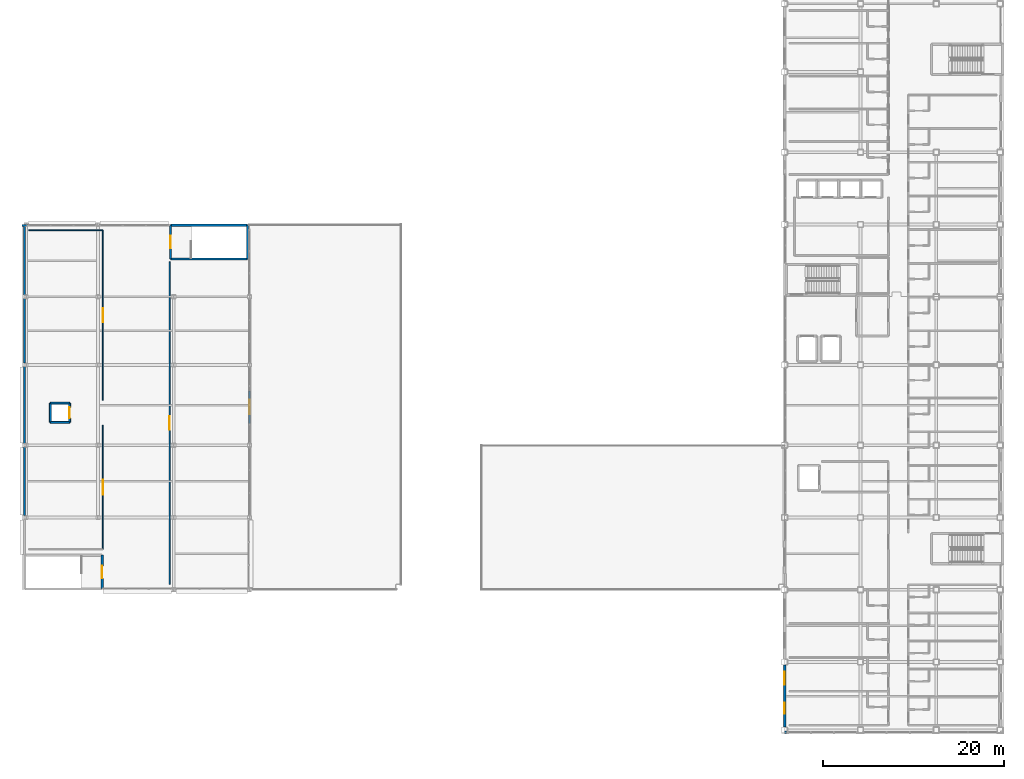
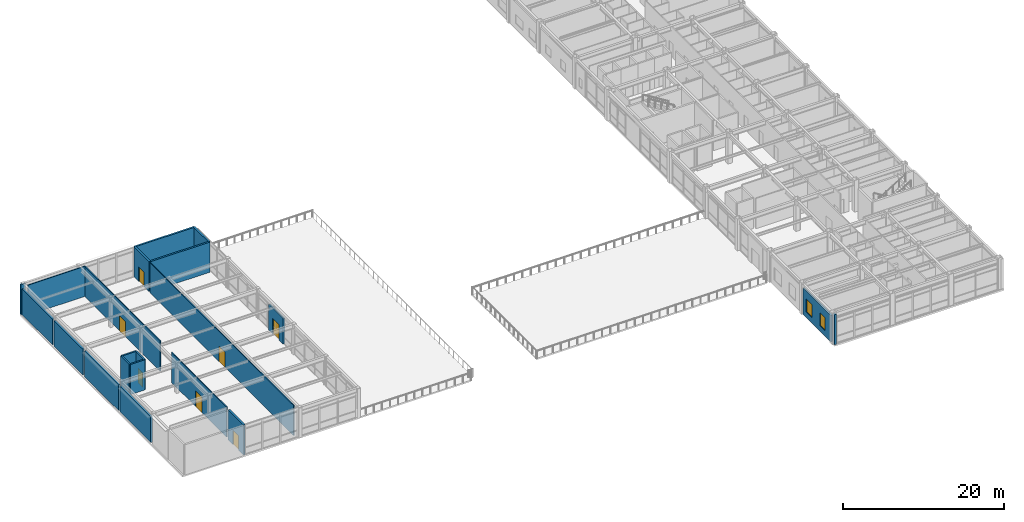
# One storey, part 48 of 61: 21 walls, 7 doors, 2 windows, 9 openings.
"""IFC4 building model written with IfcOpenShell, lengths in metres."""

import ifcopenshell
import ifcopenshell.guid

model = None  # the IFC model being written
_history = None  # IfcOwnerHistory: only IFC2X3 demands one
_inside = {}  # id of a spatial element -> (the spatial element, [elements in it])
_under = {}  # id of a project, library or spatial element -> (it, [spatial elements below it])
_declared = {}  # id of a project -> (the project, [libraries it declares])
_typed = {}  # id of a type object -> (the type object, [elements of that type])
_made_of = {}  # id of a material, layer set ... -> (it, [elements and type objects made of it])


def new_model(schema):
    """Start an empty IFC model of exactly this schema.

    Asked for "IFC4X3", IfcOpenShell would pick the latest addendum, in which some entities
    have other attributes; the version numbers below select the first issue.
    IFC2X3 requires an IfcOwnerHistory on every rooted entity: one is made here for all.
    """
    global model, _history
    if schema == "IFC4X3":
        model = ifcopenshell.file(schema_version=(4, 3, 0, 0))
    else:
        model = ifcopenshell.file(schema=schema)
    _inside.clear()
    _under.clear()
    _declared.clear()
    _typed.clear()
    _made_of.clear()
    _history = None
    if model.schema == "IFC2X3":
        org = make("IfcOrganization", Name="unknown")
        user = make(
            "IfcPersonAndOrganization",
            ThePerson=make("IfcPerson", FamilyName="unknown"),
            TheOrganization=org,
        )
        app = make(
            "IfcApplication",
            ApplicationDeveloper=org,
            Version="unknown",
            ApplicationFullName="unknown",
            ApplicationIdentifier="unknown",
        )
        _history = make(
            "IfcOwnerHistory",
            OwningUser=user,
            OwningApplication=app,
            ChangeAction="ADDED",
            CreationDate=0,
        )
    return model


def make(cls, **values):
    """One entity of the class cls with the attributes given. An attribute that is None is left unset."""
    return model.create_entity(
        cls, **{name: value for name, value in values.items() if value is not None}
    )


def rooted(cls, **values):
    """An entity with a GlobalId (a new one), such as an element, a storey or a relation."""
    return make(cls, GlobalId=ifcopenshell.guid.new(), OwnerHistory=_history, **values)


def si_unit(unit_type, name, prefix=None):
    """IfcSIUnit, for example si_unit("LENGTHUNIT", "METRE", prefix="MILLI")."""
    return make("IfcSIUnit", UnitType=unit_type, Prefix=prefix, Name=name)


def assignment(units):
    """IfcUnitAssignment: the units of a project."""
    return None if units is None else make("IfcUnitAssignment", Units=units)


def point(xyz):
    """IfcCartesianPoint."""
    return None if xyz is None else make("IfcCartesianPoint", Coordinates=xyz)


def direction(xyz):
    """IfcDirection."""
    return None if xyz is None else make("IfcDirection", DirectionRatios=xyz)


def frame(location, z_axis=None, x_axis=None):
    """IfcAxis2Placement3D, a coordinate frame: its origin and axes. An axis left out is left unset."""
    return make(
        "IfcAxis2Placement3D",
        Location=point(location),
        Axis=direction(z_axis),
        RefDirection=direction(x_axis),
    )


def frame_2d(location, x_axis=None):
    """IfcAxis2Placement2D, a coordinate frame in the plane: its origin and x axis."""
    return make(
        "IfcAxis2Placement2D", Location=point(location), RefDirection=direction(x_axis)
    )


def origin():
    """The frame at (0, 0, 0) with its axes left unset."""
    return frame((0.0, 0.0, 0.0))


def place(relative_to, where):
    """IfcLocalPlacement: puts the frame where relative to a parent placement (None: the world)."""
    return make(
        "IfcLocalPlacement", PlacementRelTo=relative_to, RelativePlacement=where
    )


def context(
    kind, dimensions, precision=None, world=None, true_north=None, identifier=None
):
    """IfcGeometricRepresentationContext, for example the 3D "Model" context."""
    return make(
        "IfcGeometricRepresentationContext",
        ContextIdentifier=identifier,
        ContextType=kind,
        CoordinateSpaceDimension=dimensions,
        Precision=precision,
        WorldCoordinateSystem=world,
        TrueNorth=true_north,
    )


def subcontext(parent, identifier, kind, view, scale=None):
    """IfcGeometricRepresentationSubContext, for example "Body" below "Model"."""
    return make(
        "IfcGeometricRepresentationSubContext",
        ContextIdentifier=identifier,
        ContextType=kind,
        ParentContext=parent,
        TargetScale=scale,
        TargetView=view,
    )


def project(units=None, contexts=None):
    """IfcProject with its units and contexts."""
    return rooted(
        "IfcProject",
        Name="project",
        RepresentationContexts=contexts,
        UnitsInContext=assignment(units),
    )


def spatial(cls, under=None, at=None, **own):
    """A site, building, storey or space (cls), placed at a placement, below another one or the project."""
    s = rooted(cls, ObjectPlacement=at, **own)
    if under is not None:
        _under.setdefault(under.id(), (under, []))[1].append(s)
    return s


def profile(cls, at=None, kind="AREA", **sizes):
    """A parametric profile (cls). Its sizes go by their IFC names, for example OverallWidth=200.0."""
    return make(cls, ProfileType=kind, Position=at, **sizes)


def rectangle(**sizes):
    """IfcRectangleProfileDef."""
    return profile("IfcRectangleProfileDef", **sizes)


def extrude(swept, where, along, depth):
    """IfcExtrudedAreaSolid: the profile swept, set in the frame where, extruded along a direction by depth."""
    return make(
        "IfcExtrudedAreaSolid",
        SweptArea=swept,
        Position=where,
        ExtrudedDirection=direction(along),
        Depth=depth,
    )


def shape(context_of_items, identifier, shape_type, items):
    """IfcShapeRepresentation: the items that make up one representation, for example the "Body"."""
    return make(
        "IfcShapeRepresentation",
        ContextOfItems=context_of_items,
        RepresentationIdentifier=identifier,
        RepresentationType=shape_type,
        Items=items,
    )


def material(Name=None, Category=None):
    """IfcMaterial."""
    return make("IfcMaterial", Name=Name, Category=Category)


def layer(
    of_material, thickness, ventilated=None, Name=None, Category=None, Priority=None
):
    """IfcMaterialLayer: one layer of a wall or slab, of a material (None: an air gap)."""
    return make(
        "IfcMaterialLayer",
        Material=of_material,
        LayerThickness=thickness,
        IsVentilated=ventilated,
        Name=Name,
        Category=Category,
        Priority=Priority,
    )


def layer_set(layers, Name=None):
    """IfcMaterialLayerSet."""
    return make("IfcMaterialLayerSet", MaterialLayers=layers, LayerSetName=Name)


def made_of(thing, what):
    """Note that an element or type object is made of a material, layer set ...; save() writes the relation."""
    if what is not None:
        _made_of.setdefault(what.id(), (what, []))[1].append(thing)
    return thing


def type_object(cls, material=None, **own):
    """A type object (cls), such as IfcWallType, which elements share."""
    return made_of(rooted(cls, **own), material)


def element(
    cls,
    number,
    at=None,
    inside=None,
    cuts=None,
    type_object=None,
    material=None,
    context=None,
    identifier="Body",
    shape_type=None,
    held_by="IfcProductDefinitionShape",
    body=None,
    shapes=None,
    **own,
):
    """One element of the class cls, such as IfcWall. Its Tag is "e" and its number.

    at: its placement. inside: the storey or other place that contains it. cuts: it is an
    opening in that element (IfcRelVoidsElement). A single representation is given by context,
    identifier, shape_type and body (its items); several are given by shapes. held_by: the class
    of the entity that holds the representations. save() writes the other relations.
    """
    e = rooted(cls, Tag="e%d" % number, ObjectPlacement=at, **own)
    if body is not None:
        shapes = [shape(context, identifier, shape_type, body)]
    if shapes is not None:
        e.Representation = make(held_by, Representations=shapes)
    if inside is not None:
        _inside.setdefault(inside.id(), (inside, []))[1].append(e)
    if cuts is not None:
        rooted(
            "IfcRelVoidsElement", RelatingBuildingElement=cuts, RelatedOpeningElement=e
        )
    if type_object is not None:
        _typed.setdefault(type_object.id(), (type_object, []))[1].append(e)
    return made_of(e, material)


def fill(opening, filler):
    """IfcRelFillsElement: the door or window that sits in an opening."""
    return rooted(
        "IfcRelFillsElement",
        RelatingOpeningElement=opening,
        RelatedBuildingElement=filler,
    )


def aggregate(whole, parts):
    """IfcRelAggregates: a whole, such as a stair, and the parts it consists of."""
    return rooted("IfcRelAggregates", RelatingObject=whole, RelatedObjects=parts)


def save(model, path):
    """Write the relations noted so far, then the file.

    IfcRelAggregates (storeys below a building ...), IfcRelContainedInSpatialStructure (elements
    in a storey), IfcRelDefinesByType, IfcRelAssociatesMaterial and IfcRelDeclares: one each for
    every whole, place, type object, material and project.
    """
    for whole, parts in _under.values():
        aggregate(whole, parts)
    for where, things in _inside.values():
        rooted(
            "IfcRelContainedInSpatialStructure",
            RelatedElements=things,
            RelatingStructure=where,
        )
    for kind, things in _typed.values():
        rooted("IfcRelDefinesByType", RelatedObjects=things, RelatingType=kind)
    for what, things in _made_of.values():
        rooted("IfcRelAssociatesMaterial", RelatedObjects=things, RelatingMaterial=what)
    for by, libraries in _declared.values():
        rooted("IfcRelDeclares", RelatingContext=by, RelatedDefinitions=libraries)
    model.write(path)


model = new_model("IFC4")

# Units and contexts
model_context = context("Model", 3, precision=1e-05, world=origin(), true_north=direction((0.0, 1.0)))
body_context = subcontext(model_context, "Body", "Model", "MODEL_VIEW")
ifc_project = project(units=[si_unit("LENGTHUNIT", "METRE"), si_unit("AREAUNIT", "SQUARE_METRE"), si_unit("VOLUMEUNIT", "CUBIC_METRE"), si_unit("PLANEANGLEUNIT", "RADIAN"), si_unit("MASSUNIT", "GRAM", prefix="KILO")], contexts=[model_context])

# Site, building, storey
site_placement = place(None, origin())
site = spatial("IfcSite", under=ifc_project, at=site_placement, CompositionType="ELEMENT")
building_placement = place(site_placement, origin())
building = spatial("IfcBuilding", under=site, at=building_placement, Name="Kazehara Bluff Congress Hotel", CompositionType="ELEMENT")
storey_placement = place(building_placement, frame((0.0, 0.0, 19.800048828125)))
storey = spatial("IfcBuildingStorey", under=building, at=storey_placement, Name="L04", CompositionType="ELEMENT", Elevation=19.800048828125)

# Wall, opening, door
ifc_material_1 = material(Name="Concrete C40/50", Category="concrete")
ifc_layer_1 = layer(ifc_material_1, 0.25)
ifc_layer_set_1 = layer_set([ifc_layer_1], Name="Concrete C40/50")
wall_type_1 = type_object("IfcWallType", Name="TP-CW-RC", PredefinedType="SHEAR", material=ifc_layer_set_1)
wall_1_placement = place(storey_placement, frame((68.125, 19.824951171875, 0.0), z_axis=(0.0, 0.0, 1.0), x_axis=(0.0, -1.0, 0.0)))
wall_1 = element("IfcWall", 1, at=wall_1_placement, inside=storey, type_object=wall_type_1, Name="L04 ST-08 core wall near", PredefinedType="SHEAR", context=body_context, shape_type="SweptSolid", body=[
    extrude(rectangle(XDim=3.75, YDim=0.25, at=frame_2d((1.875, 0.0))), origin(), (0.0, 0.0, 1.0), 4.579833984375),
])
opening_1_placement = place(wall_1_placement, frame((1.175048828125, 0.0, 0.0)))
opening_1 = element("IfcOpeningElement", 2, at=opening_1_placement, cuts=wall_1, Name="Opening FD-03", PredefinedType="OPENING", context=body_context, shape_type="SweptSolid", body=[
    extrude(rectangle(XDim=1.39990234375, YDim=2.25, at=frame_2d((0.699951171875, 1.125))), frame((0.0, 0.135009765625, 0.0), z_axis=(0.0, -1.0, 0.0), x_axis=(1.0, 0.0, 0.0)), (0.0, 0.0, 1.0), 0.27001953125),
])
ifc_material_2 = material(Name="Fire-rated painted steel leaf", Category="steel")
door_type_1 = type_object("IfcDoorType", Name="TP-FD-03", OperationType="NOTDEFINED", PredefinedType="DOOR", material=ifc_material_2)
door_1_placement = place(opening_1_placement, origin())
door_1 = element("IfcDoor", 3, at=door_1_placement, inside=storey, type_object=door_type_1, Name="L04 ST-08 fire stair door", OperationType="SINGLE_SWING_RIGHT", OverallHeight=2.25, OverallWidth=1.39990234375, PredefinedType="DOOR", context=body_context, shape_type="SweptSolid", body=[
    extrude(rectangle(XDim=1.39990234375, YDim=2.25, at=frame_2d((0.699951171875, 1.125))), frame((0.0, 0.02490234375, 0.0), z_axis=(0.0, -1.0, 0.0), x_axis=(1.0, 0.0, 0.0)), (0.0, 0.0, 1.0), 0.050048828125),
])
fill(opening_1, door_1)

wall_2_placement = place(storey_placement, frame((75.675048828125, 52.625, 0.0), z_axis=(0.0, 0.0, 1.0), x_axis=(0.0, 1.0, 0.0)))
wall_2 = element("IfcWall", 4, at=wall_2_placement, inside=storey, type_object=wall_type_1, Name="L04 ST-09 core wall near", PredefinedType="SHEAR", context=body_context, shape_type="SweptSolid", body=[
    extrude(rectangle(XDim=3.75, YDim=0.25, at=frame_2d((1.875, 0.0))), origin(), (0.0, 0.0, 1.0), 4.579833984375),
])
opening_2_placement = place(wall_2_placement, frame((1.175048828125, 0.0, 0.0)))
opening_2 = element("IfcOpeningElement", 5, at=opening_2_placement, cuts=wall_2, Name="Opening FD-03", PredefinedType="OPENING", context=body_context, shape_type="SweptSolid", body=[
    extrude(rectangle(XDim=1.39990234375, YDim=2.25, at=frame_2d((0.699951171875, 1.125))), frame((0.0, 0.135009765625, 0.0), z_axis=(0.0, -1.0, 0.0), x_axis=(1.0, 0.0, 0.0)), (0.0, 0.0, 1.0), 0.27001953125),
])
door_2_placement = place(opening_2_placement, origin())
door_2 = element("IfcDoor", 6, at=door_2_placement, inside=storey, type_object=door_type_1, Name="L04 ST-09 fire stair door", OperationType="SINGLE_SWING_RIGHT", OverallHeight=2.25, OverallWidth=1.39990234375, PredefinedType="DOOR", context=body_context, shape_type="SweptSolid", body=[
    extrude(rectangle(XDim=1.39990234375, YDim=2.25, at=frame_2d((0.699951171875, 1.125))), frame((0.0, 0.02490234375, 0.0), z_axis=(0.0, -1.0, 0.0), x_axis=(1.0, 0.0, 0.0)), (0.0, 0.0, 1.0), 0.050048828125),
])
fill(opening_2, door_2)

# Walls
wall_3_placement = place(storey_placement, frame((84.22509765625, 56.375, 0.0), z_axis=(0.0, 0.0, 1.0), x_axis=(0.0, -1.0, 0.0)))
element("IfcWall", 7, at=wall_3_placement, inside=storey, type_object=wall_type_1, Name="L04 ST-09 core wall far", PredefinedType="SHEAR", context=body_context, shape_type="SweptSolid", body=[
    extrude(rectangle(XDim=3.75, YDim=0.25, at=frame_2d((1.875, 0.0))), origin(), (0.0, 0.0, 1.0), 4.579833984375),
])
for number, where, z_axis, x_axis, name in (
    (8, (84.22509765625, 52.625, 0.0), (0.0, 0.0, 1.0), (-1.0, 0.0, 0.0), "L04 ST-09 core wall left"),
    (9, (75.675048828125, 56.375, 0.0), (0.0, 0.0, 1.0), (1.0, 0.0, 0.0), "L04 ST-09 core wall right"),
):
    element("IfcWall", number, at=place(storey_placement, frame(where, z_axis=z_axis, x_axis=x_axis)), inside=storey, type_object=wall_type_1, Name=name, PredefinedType="SHEAR", context=body_context, shape_type="SweptSolid", body=[
        extrude(rectangle(XDim=8.550048828125, YDim=0.25, at=frame_2d((4.27490234375, 0.0))), origin(), (0.0, 0.0, 1.0), 4.579833984375),
    ])

# Wall, opening, door
ifc_material_3 = material(Name="Precast concrete C40/50", Category="concrete")
ifc_layer_2 = layer(ifc_material_3, 0.239990234375)
ifc_layer_set_2 = layer_set([ifc_layer_2], Name="Precast concrete C40/50")
wall_type_2 = type_object("IfcWallType", Name="TP-EW-240", PredefinedType="SOLIDWALL", material=ifc_layer_set_2)
wall_4_placement = place(storey_placement, frame((84.449951171875, 34.425048828125, 0.0), z_axis=(0.0, 0.0, 1.0), x_axis=(0.0, 1.0, 0.0)))
wall_4 = element("IfcWall", 10, at=wall_4_placement, inside=storey, type_object=wall_type_2, Name="Delegate Bluff Roof Terrace access wall", PredefinedType="SOLIDWALL", context=body_context, shape_type="SweptSolid", body=[
    extrude(rectangle(XDim=3.599853515625, YDim=0.239990234375, at=frame_2d((1.7998046875, 0.0))), origin(), (0.0, 0.0, 1.0), 3.905029296875),
])
opening_3_placement = place(wall_4_placement, frame((1.0, 0.0, 0.0)))
opening_3 = element("IfcOpeningElement", 11, at=opening_3_placement, cuts=wall_4, Name="Opening TD-01", PredefinedType="OPENING", context=body_context, shape_type="SweptSolid", body=[
    extrude(rectangle(XDim=1.60009765625, YDim=2.300048828125, at=frame_2d((0.800048828125, 1.14990234375))), frame((0.0, 0.1298828125, 0.0), z_axis=(0.0, -1.0, 0.0), x_axis=(1.0, 0.0, 0.0)), (0.0, 0.0, 1.0), 0.260009765625),
])
ifc_material_4 = material(Name="Anodised aluminium", Category="aluminium")
door_type_2 = type_object("IfcDoorType", Name="TP-TD-01", OperationType="SLIDING_TO_LEFT", PredefinedType="DOOR", material=ifc_material_4)
door_3_placement = place(opening_3_placement, origin())
door_3 = element("IfcDoor", 12, at=door_3_placement, inside=storey, type_object=door_type_2, Name="Delegate Bluff Roof Terrace terrace door", OperationType="SLIDING_TO_LEFT", OverallHeight=2.300048828125, OverallWidth=1.60009765625, PredefinedType="DOOR", context=body_context, shape_type="SweptSolid", body=[
    extrude(rectangle(XDim=1.60009765625, YDim=2.300048828125, at=frame_2d((0.800048828125, 1.14990234375))), frame((0.0, 0.02490234375, 0.0), z_axis=(0.0, -1.0, 0.0), x_axis=(1.0, 0.0, 0.0)), (0.0, 0.0, 1.0), 0.050048828125),
])
fill(opening_3, door_3)

# Walls
wall_5_placement = place(storey_placement, frame((59.25, 56.35009765625, 0.0), z_axis=(0.0, 0.0, 1.0), x_axis=(1.0, 0.0, 0.0)))
element("IfcWall", 13, at=wall_5_placement, inside=storey, type_object=wall_type_2, Name="L04 V4 perimeter spandrel pier 719", PredefinedType="SOLIDWALL", context=body_context, shape_type="SweptSolid", body=[
    extrude(rectangle(XDim=0.64990234375, YDim=0.239990234375, at=frame_2d((0.324951171875, 0.0))), origin(), (0.0, 0.0, 1.0), 4.56494140625),
])
wall_6_placement = place(storey_placement, frame((59.52001953125, 24.199951171875, 0.0), z_axis=(0.0, 0.0, 1.0), x_axis=(0.0, 1.0, 0.0)))
element("IfcWall", 14, at=wall_6_placement, inside=storey, type_object=wall_type_2, Name="L04 V4 perimeter spandrel pier 721", PredefinedType="SOLIDWALL", context=body_context, shape_type="SweptSolid", body=[
    extrude(rectangle(XDim=7.60009765625, YDim=0.239990234375, at=frame_2d((3.800048828125, 0.0))), origin(), (0.0, 0.0, 1.0), 3.905029296875),
])
wall_7_placement = place(storey_placement, frame((59.52001953125, 32.199951171875, 0.0), z_axis=(0.0, 0.0, 1.0), x_axis=(0.0, 1.0, 0.0)))
element("IfcWall", 15, at=wall_7_placement, inside=storey, type_object=wall_type_2, Name="L04 V4 perimeter spandrel pier 722", PredefinedType="SOLIDWALL", context=body_context, shape_type="SweptSolid", body=[
    extrude(rectangle(XDim=8.5, YDim=0.239990234375, at=frame_2d((4.25, 0.0))), origin(), (0.0, 0.0, 1.0), 3.905029296875),
])
wall_8_placement = place(storey_placement, frame((59.52001953125, 41.10009765625, 0.0), z_axis=(0.0, 0.0, 1.0), x_axis=(0.0, 1.0, 0.0)))
element("IfcWall", 16, at=wall_8_placement, inside=storey, type_object=wall_type_2, Name="L04 V4 perimeter spandrel pier 723", PredefinedType="SOLIDWALL", context=body_context, shape_type="SweptSolid", body=[
    extrude(rectangle(XDim=7.14990234375, YDim=0.239990234375, at=frame_2d((3.574951171875, 0.0))), origin(), (0.0, 0.0, 1.0), 3.905029296875),
])
wall_9_placement = place(storey_placement, frame((59.52001953125, 48.64990234375, 0.0), z_axis=(0.0, 0.0, 1.0), x_axis=(0.0, 1.0, 0.0)))
element("IfcWall", 17, at=wall_9_placement, inside=storey, type_object=wall_type_2, Name="L04 V4 perimeter spandrel pier 724", PredefinedType="SOLIDWALL", context=body_context, shape_type="SweptSolid", body=[
    extrude(rectangle(XDim=7.570068359375, YDim=0.239990234375, at=frame_2d((3.78515625, 0.0))), origin(), (0.0, 0.0, 1.0), 3.905029296875),
])
wall_10_placement = place(storey_placement, frame((143.800048828125, 0.0, 0.0), z_axis=(0.0, 0.0, 1.0), x_axis=(0.0, 1.0, 0.0)))
element("IfcWall", 18, at=wall_10_placement, inside=storey, type_object=wall_type_2, Name="L04 V5 perimeter spandrel pier 728", PredefinedType="SOLIDWALL", context=body_context, shape_type="SweptSolid", body=[
    extrude(rectangle(XDim=0.360107421875, YDim=0.239990234375, at=frame_2d((0.18017578125, 0.0))), origin(), (0.0, 0.0, 1.0), 4.56494140625),
])

# Wall, openings, windows
ifc_material_5 = material(Name="Precast concrete C40/50", Category="concrete")
ifc_layer_3 = layer(ifc_material_5, 0.260009765625)
ifc_layer_set_3 = layer_set([ifc_layer_3], Name="Precast concrete C40/50")
wall_type_3 = type_object("IfcWallType", Name="TP-EW-260", PredefinedType="SOLIDWALL", material=ifc_layer_set_3)
wall_11_placement = place(storey_placement, frame((143.699951171875, 0.77490234375, 0.0), z_axis=(0.0, 0.0, 1.0), x_axis=(0.0, 1.0, 0.0)))
wall_11 = element("IfcWall", 19, at=wall_11_placement, inside=storey, type_object=wall_type_3, Name="L04 hotel facade panel 33", PredefinedType="SOLIDWALL", context=body_context, shape_type="SweptSolid", body=[
    extrude(rectangle(XDim=6.900146484375, YDim=0.260009765625, at=frame_2d((3.4501953125, 0.0))), origin(), (0.0, 0.0, 1.0), 4.0048828125),
])
opening_4_placement = place(wall_11_placement, frame((1.47509765625, 0.0, 0.85009765625)))
opening_4 = element("IfcOpeningElement", 20, at=opening_4_placement, cuts=wall_11, Name="Opening WN-10", PredefinedType="OPENING", context=body_context, shape_type="SweptSolid", body=[
    extrude(rectangle(XDim=1.25, YDim=1.949951171875, at=frame_2d((0.625, 0.97509765625))), frame((0.0, 0.139892578125, 0.0), z_axis=(0.0, -1.0, 0.0), x_axis=(1.0, 0.0, 0.0)), (0.0, 0.0, 1.0), 0.280029296875),
])
opening_5_placement = place(wall_11_placement, frame((4.7099609375, 0.0, 0.85009765625)))
opening_5 = element("IfcOpeningElement", 21, at=opening_5_placement, cuts=wall_11, Name="Opening WN-20", PredefinedType="OPENING", context=body_context, shape_type="SweptSolid", body=[
    extrude(rectangle(XDim=1.449951171875, YDim=1.949951171875, at=frame_2d((0.72509765625, 0.97509765625))), frame((0.0, 0.139892578125, 0.0), z_axis=(0.0, -1.0, 0.0), x_axis=(1.0, 0.0, 0.0)), (0.0, 0.0, 1.0), 0.280029296875),
])
ifc_material_6 = material(Name="Insulated low-E double glazing", Category="glass")
window_type_1 = type_object("IfcWindowType", Name="TP-WN-10", PartitioningType="SINGLE_PANEL", PredefinedType="WINDOW", material=ifc_material_6)
window_1_placement = place(opening_4_placement, origin())
window_1 = element("IfcWindow", 22, at=window_1_placement, inside=storey, type_object=window_type_1, Name="L04 guestroom window WN-10 49", OverallHeight=1.949951171875, OverallWidth=1.25, PartitioningType="SINGLE_PANEL", PredefinedType="WINDOW", context=body_context, shape_type="SweptSolid", body=[
    extrude(rectangle(XDim=1.25, YDim=1.949951171875, at=frame_2d((0.625, 0.97509765625))), frame((0.0, 0.030029296875, 0.0), z_axis=(0.0, -1.0, 0.0), x_axis=(1.0, 0.0, 0.0)), (0.0, 0.0, 1.0), 0.06005859375),
])
fill(opening_4, window_1)
ifc_material_7 = material(Name="Insulated low-E double glazing", Category="glass")
window_type_2 = type_object("IfcWindowType", Name="TP-WN-20", PartitioningType="SINGLE_PANEL", PredefinedType="WINDOW", material=ifc_material_7)
window_2_placement = place(opening_5_placement, origin())
window_2 = element("IfcWindow", 23, at=window_2_placement, inside=storey, type_object=window_type_2, Name="L04 guestroom window WN-20 50", OverallHeight=1.949951171875, OverallWidth=1.449951171875, PartitioningType="SINGLE_PANEL", PredefinedType="WINDOW", context=body_context, shape_type="SweptSolid", body=[
    extrude(rectangle(XDim=1.449951171875, YDim=1.949951171875, at=frame_2d((0.72509765625, 0.97509765625))), frame((0.0, 0.030029296875, 0.0), z_axis=(0.0, -1.0, 0.0), x_axis=(1.0, 0.0, 0.0)), (0.0, 0.0, 1.0), 0.06005859375),
])
fill(opening_5, window_2)

# Wall
ifc_material_8 = material(Name="Fire-rated gypsum board stud partition")
ifc_layer_4 = layer(ifc_material_8, 0.1298828125)
ifc_layer_set_4 = layer_set([ifc_layer_4], Name="Fire-rated gypsum board stud partition")
wall_type_4 = type_object("IfcWallType", Name="TP-PT-130", PredefinedType="PARTITIONING", material=ifc_layer_set_4)
wall_12_placement = place(storey_placement, frame((60.0, 55.800048828125, 0.0), z_axis=(0.0, 0.0, 1.0), x_axis=(1.0, 0.0, 0.0)))
element("IfcWall", 24, at=wall_12_placement, inside=storey, type_object=wall_type_4, Name="L04 partition PT-130 416", PredefinedType="PARTITIONING", context=body_context, shape_type="SweptSolid", body=[
    extrude(rectangle(XDim=8.199951171875, YDim=0.1298828125, at=frame_2d((4.10009765625, 0.0))), origin(), (0.0, 0.0, 1.0), 4.56494140625),
])

# Wall, opening, door
wall_13_placement = place(storey_placement, frame((68.199951171875, 20.5, 0.0), z_axis=(0.0, 0.0, 1.0), x_axis=(0.0, 1.0, 0.0)))
wall_13 = element("IfcWall", 25, at=wall_13_placement, inside=storey, type_object=wall_type_4, Name="L04 partition PT-130 456", PredefinedType="PARTITIONING", context=body_context, shape_type="SweptSolid", body=[
    extrude(rectangle(XDim=13.699951171875, YDim=0.1298828125, at=frame_2d((6.85009765625, 0.0))), origin(), (0.0, 0.0, 1.0), 4.56494140625),
])
opening_6_placement = place(wall_13_placement, frame((6.02490234375, 0.0, 0.0)))
opening_6 = element("IfcOpeningElement", 26, at=opening_6_placement, cuts=wall_13, Name="Opening AD-04", PredefinedType="OPENING", context=body_context, shape_type="SweptSolid", body=[
    extrude(rectangle(XDim=1.64990234375, YDim=2.35009765625, at=frame_2d((0.824951171875, 1.175048828125))), frame((0.0, 0.074951171875, 0.0), z_axis=(0.0, -1.0, 0.0), x_axis=(1.0, 0.0, 0.0)), (0.0, 0.0, 1.0), 0.14990234375),
])
ifc_material_9 = material(Name="Architectural oak veneer leaf")
door_type_3 = type_object("IfcDoorType", Name="TP-AD-04", OperationType="DOUBLE_DOOR_SINGLE_SWING", PredefinedType="DOOR", material=ifc_material_9)
door_4_placement = place(opening_6_placement, origin())
door_4 = element("IfcDoor", 27, at=door_4_placement, inside=storey, type_object=door_type_3, Name="L04 Executive Summit Briefing Room door", OperationType="DOUBLE_DOOR_SINGLE_SWING", OverallHeight=2.35009765625, OverallWidth=1.64990234375, PredefinedType="DOOR", context=body_context, shape_type="SweptSolid", body=[
    extrude(rectangle(XDim=1.64990234375, YDim=2.35009765625, at=frame_2d((0.824951171875, 1.175048828125))), frame((0.0, 0.02490234375, 0.0), z_axis=(0.0, -1.0, 0.0), x_axis=(1.0, 0.0, 0.0)), (0.0, 0.0, 1.0), 0.050048828125),
])
fill(opening_6, door_4)

wall_14_placement = place(storey_placement, frame((68.199951171875, 37.0, 0.0), z_axis=(0.0, 0.0, 1.0), x_axis=(0.0, 1.0, 0.0)))
wall_14 = element("IfcWall", 28, at=wall_14_placement, inside=storey, type_object=wall_type_4, Name="L04 partition PT-130 457", PredefinedType="PARTITIONING", context=body_context, shape_type="SweptSolid", body=[
    extrude(rectangle(XDim=18.800048828125, YDim=0.1298828125, at=frame_2d((9.39990234375, 0.0))), origin(), (0.0, 0.0, 1.0), 4.56494140625),
])
opening_7_placement = place(wall_14_placement, frame((8.64990234375, 0.0, 0.0)))
opening_7 = element("IfcOpeningElement", 29, at=opening_7_placement, cuts=wall_14, Name="Opening AD-01", PredefinedType="OPENING", context=body_context, shape_type="SweptSolid", body=[
    extrude(rectangle(XDim=1.5, YDim=2.300048828125, at=frame_2d((0.75, 1.14990234375))), frame((0.0, 0.074951171875, 0.0), z_axis=(0.0, -1.0, 0.0), x_axis=(1.0, 0.0, 0.0)), (0.0, 0.0, 1.0), 0.14990234375),
])
ifc_material_10 = material(Name="Architectural oak veneer leaf")
door_type_4 = type_object("IfcDoorType", Name="TP-AD-01", OperationType="DOUBLE_DOOR_SINGLE_SWING", PredefinedType="DOOR", material=ifc_material_10)
door_5_placement = place(opening_7_placement, origin())
door_5 = element("IfcDoor", 30, at=door_5_placement, inside=storey, type_object=door_type_4, Name="L04 Plenary Press Conference Room door", OperationType="DOUBLE_DOOR_SINGLE_SWING", OverallHeight=2.300048828125, OverallWidth=1.5, PredefinedType="DOOR", context=body_context, shape_type="SweptSolid", body=[
    extrude(rectangle(XDim=1.5, YDim=2.300048828125, at=frame_2d((0.75, 1.14990234375))), frame((0.0, 0.02490234375, 0.0), z_axis=(0.0, -1.0, 0.0), x_axis=(1.0, 0.0, 0.0)), (0.0, 0.0, 1.0), 0.050048828125),
])
fill(opening_7, door_5)

wall_15_placement = place(storey_placement, frame((75.60009765625, 16.60009765625, 0.0), z_axis=(0.0, 0.0, 1.0), x_axis=(0.0, 1.0, 0.0)))
wall_15 = element("IfcWall", 31, at=wall_15_placement, inside=storey, type_object=wall_type_4, Name="L04 partition PT-130 458", PredefinedType="PARTITIONING", context=body_context, shape_type="SweptSolid", body=[
    extrude(rectangle(XDim=35.699951171875, YDim=0.1298828125, at=frame_2d((17.85009765625, 0.0))), origin(), (0.0, 0.0, 1.0), 4.56494140625),
])
opening_8_placement = place(wall_15_placement, frame((17.10009765625, 0.0, 0.0)))
opening_8 = element("IfcOpeningElement", 32, at=opening_8_placement, cuts=wall_15, Name="Opening AD-01", PredefinedType="OPENING", context=body_context, shape_type="SweptSolid", body=[
    extrude(rectangle(XDim=1.5, YDim=2.300048828125, at=frame_2d((0.75, 1.14990234375))), frame((0.0, 0.074951171875, 0.0), z_axis=(0.0, -1.0, 0.0), x_axis=(1.0, 0.0, 0.0)), (0.0, 0.0, 1.0), 0.14990234375),
])
door_6_placement = place(opening_8_placement, origin())
door_6 = element("IfcDoor", 33, at=door_6_placement, inside=storey, type_object=door_type_4, Name="L04 Delegate Summit Salon door", OperationType="DOUBLE_DOOR_SINGLE_SWING", OverallHeight=2.300048828125, OverallWidth=1.5, PredefinedType="DOOR", context=body_context, shape_type="SweptSolid", body=[
    extrude(rectangle(XDim=1.5, YDim=2.300048828125, at=frame_2d((0.75, 1.14990234375))), frame((0.0, 0.02490234375, 0.0), z_axis=(0.0, -1.0, 0.0), x_axis=(1.0, 0.0, 0.0)), (0.0, 0.0, 1.0), 0.050048828125),
])
fill(opening_8, door_6)

# Walls
ifc_material_11 = material(Name="Concrete C40/50", Category="concrete")
ifc_layer_5 = layer(ifc_material_11, 0.219970703125)
ifc_layer_set_5 = layer_set([ifc_layer_5], Name="Concrete C40/50")
wall_type_5 = type_object("IfcWallType", Name="TP-SW-RC", PredefinedType="SHEAR", material=ifc_layer_set_5)
for number, where, z_axis, x_axis, name in (
    (34, (62.389892578125, 36.659912109375, 0.0), (0.0, 0.0, 1.0), (1.0, 0.0, 0.0), "L04 EL-C3 lift shaft wall +Y"),
    (35, (62.389892578125, 34.5400390625, 0.0), (0.0, 0.0, 1.0), (1.0, 0.0, 0.0), "L04 EL-C3 lift shaft wall -Y"),
):
    element("IfcWall", number, at=place(storey_placement, frame(where, z_axis=z_axis, x_axis=x_axis)), inside=storey, type_object=wall_type_5, Name=name, PredefinedType="SHEAR", context=body_context, shape_type="SweptSolid", body=[
        extrude(rectangle(XDim=2.1201171875, YDim=0.219970703125, at=frame_2d((1.06005859375, 0.0))), origin(), (0.0, 0.0, 1.0), 4.579833984375),
    ])

# Wall, opening, door
wall_16_placement = place(storey_placement, frame((64.510009765625, 34.5400390625, 0.0), z_axis=(0.0, 0.0, 1.0), x_axis=(0.0, 1.0, 0.0)))
wall_16 = element("IfcWall", 36, at=wall_16_placement, inside=storey, type_object=wall_type_5, Name="L04 EL-C3 lift shaft wall +X", PredefinedType="SHEAR", context=body_context, shape_type="SweptSolid", body=[
    extrude(rectangle(XDim=2.119873046875, YDim=0.219970703125, at=frame_2d((1.06005859375, 0.0))), origin(), (0.0, 0.0, 1.0), 4.579833984375),
])
opening_9_placement = place(wall_16_placement, frame((0.4599609375, 0.0, 0.0)))
opening_9 = element("IfcOpeningElement", 37, at=opening_9_placement, cuts=wall_16, Name="Opening LD-02", PredefinedType="OPENING", context=body_context, shape_type="SweptSolid", body=[
    extrude(rectangle(XDim=1.199951171875, YDim=2.25, at=frame_2d((0.60009765625, 1.125))), frame((0.0, 0.119873046875, 0.0), z_axis=(0.0, -1.0, 0.0), x_axis=(1.0, 0.0, 0.0)), (0.0, 0.0, 1.0), 0.239990234375),
])
ifc_material_12 = material(Name="Fire-rated painted steel leaf", Category="steel")
door_type_5 = type_object("IfcDoorType", Name="TP-LD-02", OperationType="SLIDING_TO_LEFT", PredefinedType="DOOR", material=ifc_material_12)
door_7_placement = place(opening_9_placement, origin())
door_7 = element("IfcDoor", 38, at=door_7_placement, inside=storey, type_object=door_type_5, Name="L04 EL-C3 elevator landing door", OperationType="SLIDING_TO_LEFT", OverallHeight=2.25, OverallWidth=1.199951171875, PredefinedType="DOOR", context=body_context, shape_type="SweptSolid", body=[
    extrude(rectangle(XDim=1.199951171875, YDim=2.25, at=frame_2d((0.60009765625, 1.125))), frame((0.0, 0.02490234375, 0.0), z_axis=(0.0, -1.0, 0.0), x_axis=(1.0, 0.0, 0.0)), (0.0, 0.0, 1.0), 0.050048828125),
])
fill(opening_9, door_7)

# Wall
wall_17_placement = place(storey_placement, frame((62.389892578125, 34.5400390625, 0.0), z_axis=(0.0, 0.0, 1.0), x_axis=(0.0, 1.0, 0.0)))
element("IfcWall", 39, at=wall_17_placement, inside=storey, type_object=wall_type_5, Name="L04 EL-C3 lift shaft wall -X", PredefinedType="SHEAR", context=body_context, shape_type="SweptSolid", body=[
    extrude(rectangle(XDim=2.119873046875, YDim=0.219970703125, at=frame_2d((1.06005859375, 0.0))), origin(), (0.0, 0.0, 1.0), 4.579833984375),
])

save(model, "model.ifc")
